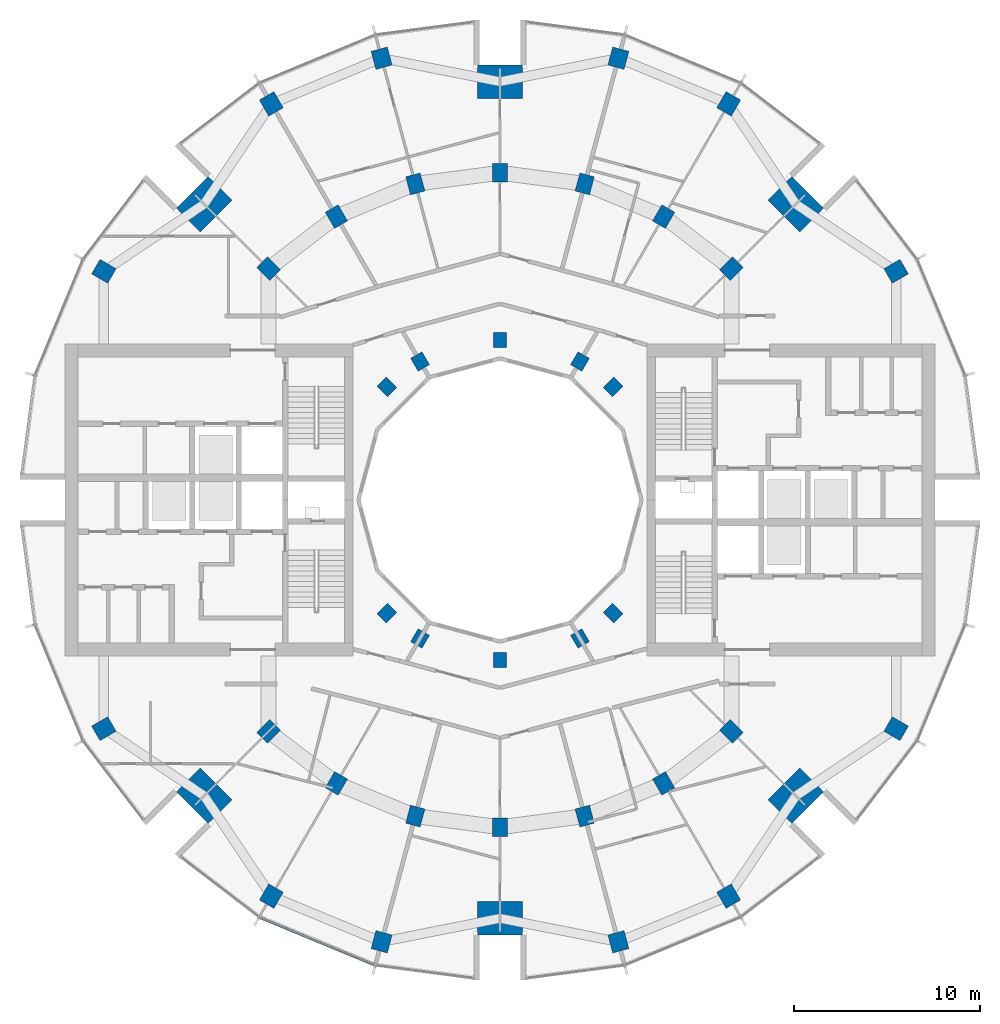
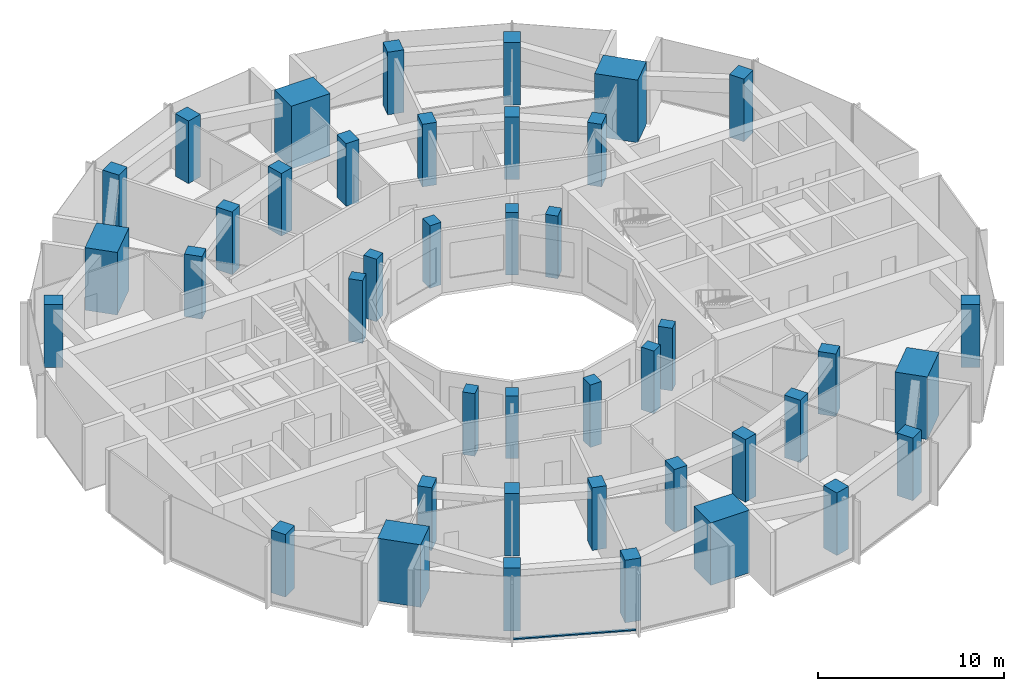
# One storey, part 1 of 15: 42 columns, 1 member, 1 element without a shape of its own.
"""IFC4 building model written with IfcOpenShell, lengths in metres."""

import ifcopenshell
import ifcopenshell.guid

model = None  # the IFC model being written
_history = None  # IfcOwnerHistory: only IFC2X3 demands one
_inside = {}  # id of a spatial element -> (the spatial element, [elements in it])
_under = {}  # id of a project, library or spatial element -> (it, [spatial elements below it])
_declared = {}  # id of a project -> (the project, [libraries it declares])
_typed = {}  # id of a type object -> (the type object, [elements of that type])
_made_of = {}  # id of a material, layer set ... -> (it, [elements and type objects made of it])


def new_model(schema):
    """Start an empty IFC model of exactly this schema.

    Asked for "IFC4X3", IfcOpenShell would pick the latest addendum, in which some entities
    have other attributes; the version numbers below select the first issue.
    IFC2X3 requires an IfcOwnerHistory on every rooted entity: one is made here for all.
    """
    global model, _history
    if schema == "IFC4X3":
        model = ifcopenshell.file(schema_version=(4, 3, 0, 0))
    else:
        model = ifcopenshell.file(schema=schema)
    _inside.clear()
    _under.clear()
    _declared.clear()
    _typed.clear()
    _made_of.clear()
    _history = None
    if model.schema == "IFC2X3":
        org = make("IfcOrganization", Name="unknown")
        user = make(
            "IfcPersonAndOrganization",
            ThePerson=make("IfcPerson", FamilyName="unknown"),
            TheOrganization=org,
        )
        app = make(
            "IfcApplication",
            ApplicationDeveloper=org,
            Version="unknown",
            ApplicationFullName="unknown",
            ApplicationIdentifier="unknown",
        )
        _history = make(
            "IfcOwnerHistory",
            OwningUser=user,
            OwningApplication=app,
            ChangeAction="ADDED",
            CreationDate=0,
        )
    return model


def make(cls, **values):
    """One entity of the class cls with the attributes given. An attribute that is None is left unset."""
    return model.create_entity(
        cls, **{name: value for name, value in values.items() if value is not None}
    )


def rooted(cls, **values):
    """An entity with a GlobalId (a new one), such as an element, a storey or a relation."""
    return make(cls, GlobalId=ifcopenshell.guid.new(), OwnerHistory=_history, **values)


def si_unit(unit_type, name, prefix=None):
    """IfcSIUnit, for example si_unit("LENGTHUNIT", "METRE", prefix="MILLI")."""
    return make("IfcSIUnit", UnitType=unit_type, Prefix=prefix, Name=name)


def assignment(units):
    """IfcUnitAssignment: the units of a project."""
    return None if units is None else make("IfcUnitAssignment", Units=units)


def point(xyz):
    """IfcCartesianPoint."""
    return None if xyz is None else make("IfcCartesianPoint", Coordinates=xyz)


def direction(xyz):
    """IfcDirection."""
    return None if xyz is None else make("IfcDirection", DirectionRatios=xyz)


def frame(location, z_axis=None, x_axis=None):
    """IfcAxis2Placement3D, a coordinate frame: its origin and axes. An axis left out is left unset."""
    return make(
        "IfcAxis2Placement3D",
        Location=point(location),
        Axis=direction(z_axis),
        RefDirection=direction(x_axis),
    )


def frame_2d(location, x_axis=None):
    """IfcAxis2Placement2D, a coordinate frame in the plane: its origin and x axis."""
    return make(
        "IfcAxis2Placement2D", Location=point(location), RefDirection=direction(x_axis)
    )


def origin():
    """The frame at (0, 0, 0) with its axes left unset."""
    return frame((0.0, 0.0, 0.0))


def origin_2d():
    """The frame at (0, 0) in the plane with its x axis left unset."""
    return frame_2d((0.0, 0.0))


def place(relative_to, where):
    """IfcLocalPlacement: puts the frame where relative to a parent placement (None: the world)."""
    return make(
        "IfcLocalPlacement", PlacementRelTo=relative_to, RelativePlacement=where
    )


def context(
    kind, dimensions, precision=None, world=None, true_north=None, identifier=None
):
    """IfcGeometricRepresentationContext, for example the 3D "Model" context."""
    return make(
        "IfcGeometricRepresentationContext",
        ContextIdentifier=identifier,
        ContextType=kind,
        CoordinateSpaceDimension=dimensions,
        Precision=precision,
        WorldCoordinateSystem=world,
        TrueNorth=true_north,
    )


def subcontext(parent, identifier, kind, view, scale=None):
    """IfcGeometricRepresentationSubContext, for example "Body" below "Model"."""
    return make(
        "IfcGeometricRepresentationSubContext",
        ContextIdentifier=identifier,
        ContextType=kind,
        ParentContext=parent,
        TargetScale=scale,
        TargetView=view,
    )


def project(units=None, contexts=None):
    """IfcProject with its units and contexts."""
    return rooted(
        "IfcProject",
        Name="project",
        RepresentationContexts=contexts,
        UnitsInContext=assignment(units),
    )


def spatial(cls, under=None, at=None, **own):
    """A site, building, storey or space (cls), placed at a placement, below another one or the project."""
    s = rooted(cls, ObjectPlacement=at, **own)
    if under is not None:
        _under.setdefault(under.id(), (under, []))[1].append(s)
    return s


def profile(cls, at=None, kind="AREA", **sizes):
    """A parametric profile (cls). Its sizes go by their IFC names, for example OverallWidth=200.0."""
    return make(cls, ProfileType=kind, Position=at, **sizes)


def rectangle(**sizes):
    """IfcRectangleProfileDef."""
    return profile("IfcRectangleProfileDef", **sizes)


def extrude(swept, where, along, depth):
    """IfcExtrudedAreaSolid: the profile swept, set in the frame where, extruded along a direction by depth."""
    return make(
        "IfcExtrudedAreaSolid",
        SweptArea=swept,
        Position=where,
        ExtrudedDirection=direction(along),
        Depth=depth,
    )


def shape(context_of_items, identifier, shape_type, items):
    """IfcShapeRepresentation: the items that make up one representation, for example the "Body"."""
    return make(
        "IfcShapeRepresentation",
        ContextOfItems=context_of_items,
        RepresentationIdentifier=identifier,
        RepresentationType=shape_type,
        Items=items,
    )


def material(Name=None, Category=None):
    """IfcMaterial."""
    return make("IfcMaterial", Name=Name, Category=Category)


def layer(
    of_material, thickness, ventilated=None, Name=None, Category=None, Priority=None
):
    """IfcMaterialLayer: one layer of a wall or slab, of a material (None: an air gap)."""
    return make(
        "IfcMaterialLayer",
        Material=of_material,
        LayerThickness=thickness,
        IsVentilated=ventilated,
        Name=Name,
        Category=Category,
        Priority=Priority,
    )


def layer_set(layers, Name=None):
    """IfcMaterialLayerSet."""
    return make("IfcMaterialLayerSet", MaterialLayers=layers, LayerSetName=Name)


def material_profile(
    of_material, cross_section, Name=None, Category=None, Priority=None
):
    """IfcMaterialProfile: a cross section and its material."""
    return make(
        "IfcMaterialProfile",
        Name=Name,
        Material=of_material,
        Profile=cross_section,
        Priority=Priority,
        Category=Category,
    )


def profile_set(profiles, Name=None, composite=None):
    """IfcMaterialProfileSet."""
    return make(
        "IfcMaterialProfileSet",
        Name=Name,
        MaterialProfiles=profiles,
        CompositeProfile=composite,
    )


def made_of(thing, what):
    """Note that an element or type object is made of a material, layer set ...; save() writes the relation."""
    if what is not None:
        _made_of.setdefault(what.id(), (what, []))[1].append(thing)
    return thing


def type_object(cls, material=None, **own):
    """A type object (cls), such as IfcWallType, which elements share."""
    return made_of(rooted(cls, **own), material)


def element(
    cls,
    number,
    at=None,
    inside=None,
    cuts=None,
    type_object=None,
    material=None,
    context=None,
    identifier="Body",
    shape_type=None,
    held_by="IfcProductDefinitionShape",
    body=None,
    shapes=None,
    **own,
):
    """One element of the class cls, such as IfcWall. Its Tag is "e" and its number.

    at: its placement. inside: the storey or other place that contains it. cuts: it is an
    opening in that element (IfcRelVoidsElement). A single representation is given by context,
    identifier, shape_type and body (its items); several are given by shapes. held_by: the class
    of the entity that holds the representations. save() writes the other relations.
    """
    e = rooted(cls, Tag="e%d" % number, ObjectPlacement=at, **own)
    if body is not None:
        shapes = [shape(context, identifier, shape_type, body)]
    if shapes is not None:
        e.Representation = make(held_by, Representations=shapes)
    if inside is not None:
        _inside.setdefault(inside.id(), (inside, []))[1].append(e)
    if cuts is not None:
        rooted(
            "IfcRelVoidsElement", RelatingBuildingElement=cuts, RelatedOpeningElement=e
        )
    if type_object is not None:
        _typed.setdefault(type_object.id(), (type_object, []))[1].append(e)
    return made_of(e, material)


def aggregate(whole, parts):
    """IfcRelAggregates: a whole, such as a stair, and the parts it consists of."""
    return rooted("IfcRelAggregates", RelatingObject=whole, RelatedObjects=parts)


def save(model, path):
    """Write the relations noted so far, then the file.

    IfcRelAggregates (storeys below a building ...), IfcRelContainedInSpatialStructure (elements
    in a storey), IfcRelDefinesByType, IfcRelAssociatesMaterial and IfcRelDeclares: one each for
    every whole, place, type object, material and project.
    """
    for whole, parts in _under.values():
        aggregate(whole, parts)
    for where, things in _inside.values():
        rooted(
            "IfcRelContainedInSpatialStructure",
            RelatedElements=things,
            RelatingStructure=where,
        )
    for kind, things in _typed.values():
        rooted("IfcRelDefinesByType", RelatedObjects=things, RelatingType=kind)
    for what, things in _made_of.values():
        rooted("IfcRelAssociatesMaterial", RelatedObjects=things, RelatingMaterial=what)
    for by, libraries in _declared.values():
        rooted("IfcRelDeclares", RelatingContext=by, RelatedDefinitions=libraries)
    model.write(path)


model = new_model("IFC4")

# Units and contexts
model_context = context("Model", 3, precision=1e-05, world=origin(), true_north=direction((0.0, 1.0)))
body_context = subcontext(model_context, "Body", "Model", "MODEL_VIEW")
ifc_project = project(units=[si_unit("LENGTHUNIT", "METRE"), si_unit("AREAUNIT", "SQUARE_METRE"), si_unit("VOLUMEUNIT", "CUBIC_METRE"), si_unit("PLANEANGLEUNIT", "RADIAN"), si_unit("MASSUNIT", "GRAM", prefix="KILO")], contexts=[model_context])

# Site, building, storey
site_placement = place(None, origin())
site = spatial("IfcSite", under=ifc_project, at=site_placement, CompositionType="ELEMENT")
building_placement = place(site_placement, origin())
building = spatial("IfcBuilding", under=site, at=building_placement, Name="Torre Brocal", CompositionType="ELEMENT")
storey_placement = place(building_placement, frame((0.0, 0.0, 174.10009765625)))
storey = spatial("IfcBuildingStorey", under=building, at=storey_placement, Name="L40", CompositionType="ELEMENT", Elevation=174.10009765625)

# Columns
ifc_material_1 = material(Name="Concrete C70", Category="concrete")
ifc_material_profile_1 = material_profile(ifc_material_1, rectangle(XDim=1.0, YDim=0.800048828125, at=origin_2d()), Name="RC 1000X800")
ifc_profile_set_1 = profile_set([ifc_material_profile_1], Name="Concrete C70")
column_type_1 = type_object("IfcColumnType", Name="RC COLUMN 1000X800 C70", PredefinedType="COLUMN", material=ifc_profile_set_1)
for number, where, z_axis, x_axis, name in (
    (1, (92.445068359375, 87.445068359375, 0.0), (0.0, 0.0, 1.0), (0.707106781187, 0.707106781187, 0.0), "Column C-M03"),
    (2, (88.800048828125, 90.241943359375, 0.0), (0.0, 0.0, 1.0), (0.5, 0.866025403784, 0.0), "Column C-M04"),
    (3, (84.55517578125, 92.000244140625, 0.0), (0.0, 0.0, 1.0), (0.258819045103, 0.965925826289, 0.0), "Column C-M05"),
    (4, (80.0, 92.60009765625, 0.0), (0.0, 0.0, 1.0), (0.0, 1.0, 0.0), "Column C-M06"),
    (5, (75.44482421875, 92.000244140625, 0.0), (0.0, 0.0, 1.0), (-0.258819045103, 0.965925826289, 0.0), "Column C-M07"),
    (6, (71.199951171875, 90.241943359375, 0.0), (0.0, 0.0, 1.0), (-0.5, 0.866025403784, 0.0), "Column C-M08"),
    (7, (67.554931640625, 87.445068359375, 0.0), (0.0, 0.0, 1.0), (-0.707106781187, 0.707106781187, 0.0), "Column C-M09"),
    (8, (67.554931640625, 62.554931640625, 0.0), (0.0, 0.0, 1.0), (-0.707106781187, -0.707106781187, 0.0), "Column C-M15"),
    (9, (71.199951171875, 59.758056640625, 0.0), (0.0, 0.0, 1.0), (-0.5, -0.866025403784, 0.0), "Column C-M16"),
    (10, (75.44482421875, 57.999755859375, 0.0), (0.0, 0.0, 1.0), (-0.258819045103, -0.965925826289, 0.0), "Column C-M17"),
    (11, (80.0, 57.39990234375, 0.0), (0.0, 0.0, 1.0), (0.0, -1.0, 0.0), "Column C-M18"),
    (12, (84.55517578125, 57.999755859375, 0.0), (0.0, 0.0, 1.0), (0.258819045103, -0.965925826289, 0.0), "Column C-M19"),
    (13, (88.800048828125, 59.758056640625, 0.0), (0.0, 0.0, 1.0), (0.5, -0.866025403784, 0.0), "Column C-M20"),
    (14, (92.445068359375, 62.554931640625, 0.0), (0.0, 0.0, 1.0), (0.707106781187, -0.707106781187, 0.0), "Column C-M21"),
):
    element("IfcColumn", number, at=place(storey_placement, frame(where, z_axis=z_axis, x_axis=x_axis)), inside=storey, type_object=column_type_1, Name=name, PredefinedType="COLUMN", context=body_context, shape_type="SweptSolid", body=[
        extrude(rectangle(XDim=1.0, YDim=0.800048828125, at=origin_2d()), origin(), (0.0, 0.0, 1.0), 4.099853515625),
    ])
ifc_material_2 = material(Name="Concrete C70", Category="concrete")
ifc_material_profile_2 = material_profile(ifc_material_2, rectangle(XDim=1.0, YDim=0.89990234375, at=origin_2d()), Name="RC 1000X900")
ifc_profile_set_2 = profile_set([ifc_material_profile_2], Name="Concrete C70")
column_type_2 = type_object("IfcColumnType", Name="RC COLUMN 1000X900 C70", PredefinedType="COLUMN", material=ifc_profile_set_2)
for number, where, z_axis, x_axis, name in (
    (15, (101.30419921875, 87.300048828125, 0.0), (0.0, 0.0, 1.0), (0.866025403784, 0.5, 0.0), "Column C-O02"),
    (16, (92.300048828125, 96.30419921875, 0.0), (0.0, 0.0, 1.0), (0.5, 0.866025403784, 0.0), "Column C-O04"),
    (17, (86.366943359375, 98.76171875, 0.0), (0.0, 0.0, 1.0), (0.258819045103, 0.965925826289, 0.0), "Column C-O05"),
    (18, (73.633056640625, 98.76171875, 0.0), (0.0, 0.0, 1.0), (-0.258819045103, 0.965925826289, 0.0), "Column C-O07"),
    (19, (67.699951171875, 96.30419921875, 0.0), (0.0, 0.0, 1.0), (-0.5, 0.866025403784, 0.0), "Column C-O08"),
    (20, (58.69580078125, 87.300048828125, 0.0), (0.0, 0.0, 1.0), (-0.866025403784, 0.5, 0.0), "Column C-O10"),
    (21, (58.69580078125, 62.699951171875, 0.0), (0.0, 0.0, 1.0), (-0.866025403784, -0.5, 0.0), "Column C-O14"),
    (22, (67.699951171875, 53.69580078125, 0.0), (0.0, 0.0, 1.0), (-0.5, -0.866025403784, 0.0), "Column C-O16"),
    (23, (73.633056640625, 51.23828125, 0.0), (0.0, 0.0, 1.0), (-0.258819045103, -0.965925826289, 0.0), "Column C-O17"),
    (24, (86.366943359375, 51.23828125, 0.0), (0.0, 0.0, 1.0), (0.258819045103, -0.965925826289, 0.0), "Column C-O19"),
    (25, (92.300048828125, 53.69580078125, 0.0), (0.0, 0.0, 1.0), (0.5, -0.866025403784, 0.0), "Column C-O20"),
    (26, (101.30419921875, 62.699951171875, 0.0), (0.0, 0.0, 1.0), (0.866025403784, -0.5, 0.0), "Column C-O22"),
):
    element("IfcColumn", number, at=place(storey_placement, frame(where, z_axis=z_axis, x_axis=x_axis)), inside=storey, type_object=column_type_2, Name=name, PredefinedType="COLUMN", context=body_context, shape_type="SweptSolid", body=[
        extrude(rectangle(XDim=1.0, YDim=0.89990234375, at=origin_2d()), origin(), (0.0, 0.0, 1.0), 4.099853515625),
    ])
ifc_material_3 = material(Name="Concrete C70", Category="concrete")
ifc_material_profile_3 = material_profile(ifc_material_3, rectangle(XDim=1.800048828125, YDim=2.39990234375, at=origin_2d()), Name="RC 1800X2400")
ifc_profile_set_3 = profile_set([ifc_material_profile_3], Name="Concrete C70")
column_type_3 = type_object("IfcColumnType", Name="RC COLUMN 1800X2400 C70", PredefinedType="COLUMN", material=ifc_profile_set_3)
for number, where, z_axis, x_axis, name in (
    (27, (95.909912109375, 90.909912109375, 0.0), (0.0, 0.0, 1.0), (0.707106781187, 0.707106781187, 0.0), "Column MC-1"),
    (28, (80.0, 97.5, 0.0), (0.0, 0.0, 1.0), (0.0, 1.0, 0.0), "Column MC-2"),
    (29, (64.090087890625, 90.909912109375, 0.0), (0.0, 0.0, 1.0), (-0.707106781187, 0.707106781187, 0.0), "Column MC-3"),
    (30, (64.090087890625, 59.090087890625, 0.0), (0.0, 0.0, 1.0), (-0.707106781187, -0.707106781187, 0.0), "Column MC-5"),
    (31, (80.0, 52.5, 0.0), (0.0, 0.0, 1.0), (0.0, -1.0, 0.0), "Column MC-6"),
    (32, (95.909912109375, 59.090087890625, 0.0), (0.0, 0.0, 1.0), (0.707106781187, -0.707106781187, 0.0), "Column MC-7"),
):
    element("IfcColumn", number, at=place(storey_placement, frame(where, z_axis=z_axis, x_axis=x_axis)), inside=storey, type_object=column_type_3, Name=name, PredefinedType="COLUMN", context=body_context, shape_type="SweptSolid", body=[
        extrude(rectangle(XDim=1.800048828125, YDim=2.39990234375, at=origin_2d()), origin(), (0.0, 0.0, 1.0), 4.099853515625),
    ])
ifc_material_4 = material(Name="Concrete C70", Category="concrete")
ifc_material_profile_4 = material_profile(ifc_material_4, rectangle(XDim=0.800048828125, YDim=0.699951171875, at=origin_2d()), Name="RC 800X700")
ifc_profile_set_4 = profile_set([ifc_material_profile_4], Name="Concrete C70")
column_type_4 = type_object("IfcColumnType", Name="RC COLUMN 800X700 C70", PredefinedType="COLUMN", material=ifc_profile_set_4)
for number, where, z_axis, x_axis, name in (
    (33, (86.0810546875, 81.0810546875, 0.0), (0.0, 0.0, 1.0), (0.707106781187, 0.707106781187, 0.0), "Column C-I03"),
    (34, (84.300048828125, 82.44775390625, 0.0), (0.0, 0.0, 1.0), (0.5, 0.866025403784, 0.0), "Column C-I04"),
    (35, (80.0, 83.60009765625, 0.0), (0.0, 0.0, 1.0), (0.0, 1.0, 0.0), "Column C-I06"),
    (36, (75.699951171875, 82.44775390625, 0.0), (0.0, 0.0, 1.0), (-0.5, 0.866025403784, 0.0), "Column C-I08"),
    (37, (73.9189453125, 81.0810546875, 0.0), (0.0, 0.0, 1.0), (-0.707106781187, 0.707106781187, 0.0), "Column C-I09"),
    (38, (73.9189453125, 68.9189453125, 0.0), (0.0, 0.0, 1.0), (-0.707106781187, -0.707106781187, 0.0), "Column C-I15"),
    (39, (75.699951171875, 67.55224609375, 0.0), (0.0, 0.0, 1.0), (-0.5, -0.866025403784, 0.0), "Column C-I16"),
    (40, (80.0, 66.39990234375, 0.0), (0.0, 0.0, 1.0), (0.0, -1.0, 0.0), "Column C-I18"),
    (41, (84.300048828125, 67.55224609375, 0.0), (0.0, 0.0, 1.0), (0.5, -0.866025403784, 0.0), "Column C-I20"),
    (42, (86.0810546875, 68.9189453125, 0.0), (0.0, 0.0, 1.0), (0.707106781187, -0.707106781187, 0.0), "Column C-I21"),
):
    element("IfcColumn", number, at=place(storey_placement, frame(where, z_axis=z_axis, x_axis=x_axis)), inside=storey, type_object=column_type_4, Name=name, PredefinedType="COLUMN", context=body_context, shape_type="SweptSolid", body=[
        extrude(rectangle(XDim=0.800048828125, YDim=0.699951171875, at=origin_2d()), origin(), (0.0, 0.0, 1.0), 4.099853515625),
    ])

# Curtain wall, member
ifc_material_5 = material(Name="Aluminium and glass", Category="aluminium")
ifc_layer = layer(ifc_material_5, 0.199951171875)
ifc_layer_set = layer_set([ifc_layer], Name="Aluminium and glass")
curtain_wall_type = type_object("IfcCurtainWallType", Name="CW-1 CURTAIN WALL 4100 HIGH", PredefinedType="NOTDEFINED", material=ifc_layer_set)
curtain_wall_placement = place(storey_placement, origin())
curtain_wall = element("IfcCurtainWall", 43, at=curtain_wall_placement, inside=storey, type_object=curtain_wall_type, Name="CW-1 RUN 17", PredefinedType="NOTDEFINED")
ifc_material_6 = material(Name="Aluminium, dark anodised", Category="aluminium")
ifc_material_profile_5 = material_profile(ifc_material_6, rectangle(XDim=0.159912109375, YDim=0.080078125, at=origin_2d()), Name="CW-1 TRANSOM 160X80")
ifc_profile_set_5 = profile_set([ifc_material_profile_5], Name="Aluminium, dark anodised")
member_type = type_object("IfcMemberType", Name="CW-1 TRANSOM 160X80", PredefinedType="USERDEFINED", material=ifc_profile_set_5)
member_placement = place(storey_placement, frame((67.10595703125, 52.547607421875, 0.039794921875), z_axis=(0.923887344364, -0.38266457234, 0.0), x_axis=(0.38266457234, 0.923887344364, 0.0)))
member = element("IfcMember", 44, at=member_placement, type_object=member_type, Name="CW1-4 transom 1.1", ObjectType="TRANSOM", PredefinedType="USERDEFINED", context=body_context, shape_type="SweptSolid", body=[
    extrude(rectangle(XDim=0.159912109375, YDim=0.080078125, at=origin_2d()), origin(), (0.0, 0.0, 1.0), 6.640869140625),
])
aggregate(curtain_wall, [member])

save(model, "model.ifc")
